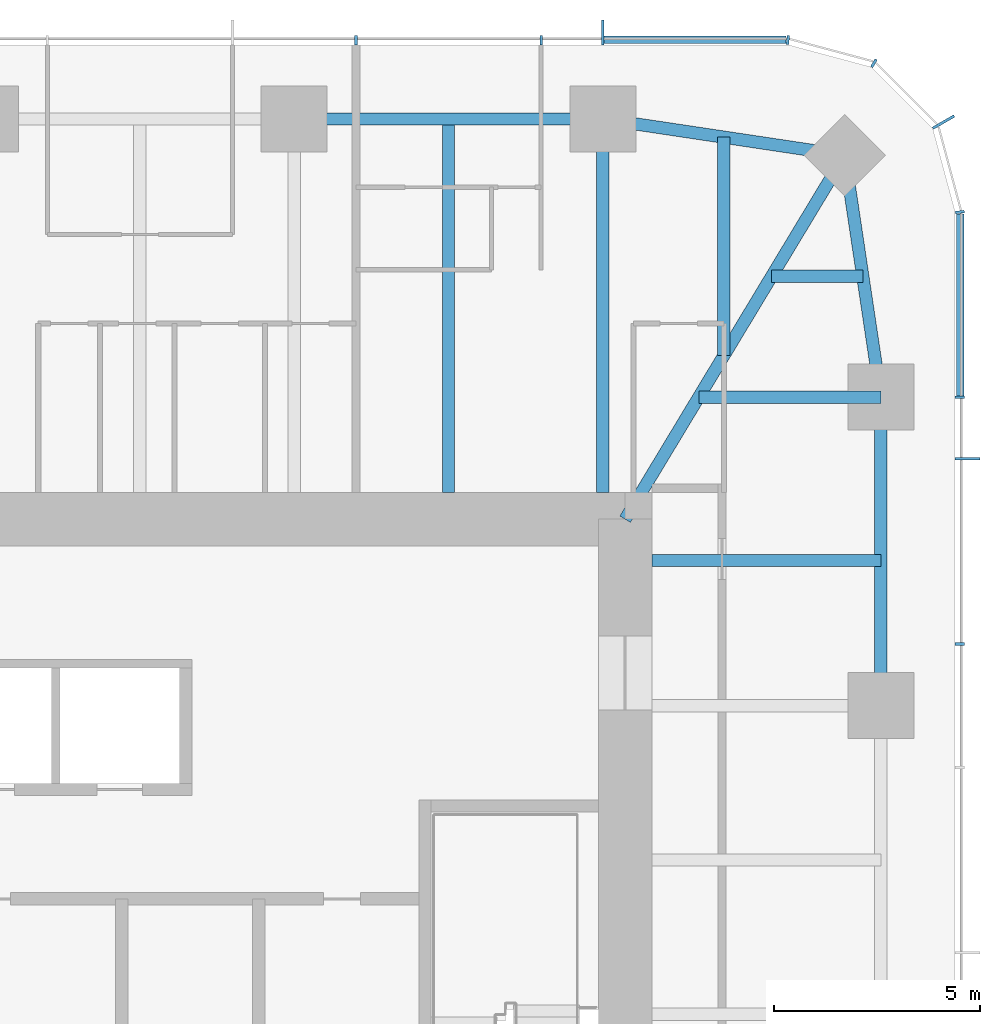
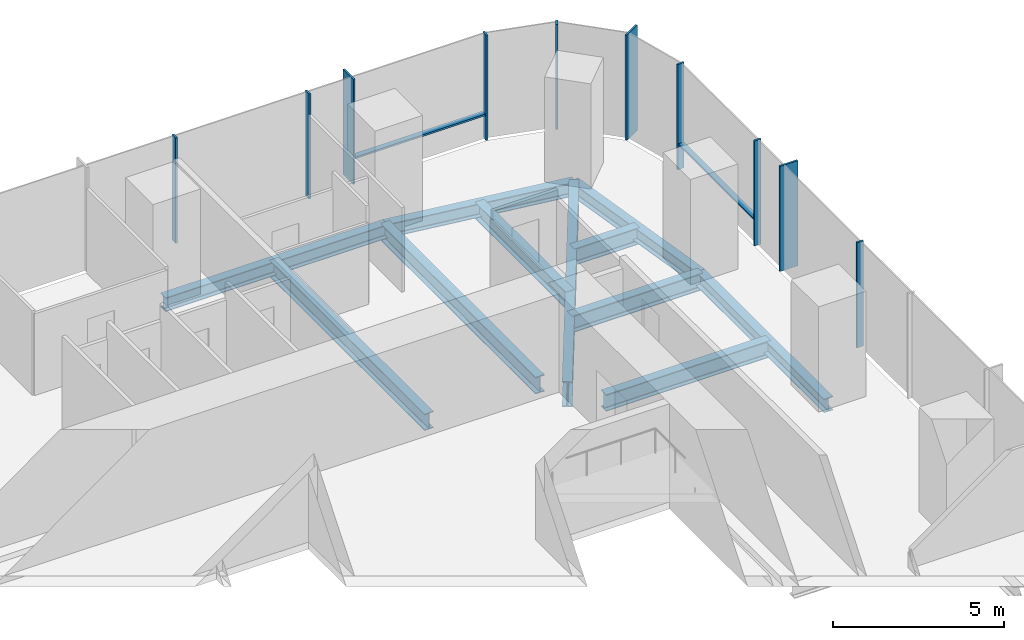
# One storey, part 6 of 12: 12 members, 11 beams, 3 elements without a shape of their own.
"""IFC4 building model written with IfcOpenShell, lengths in metres."""

from ifc_helpers import new_model, si_unit, direction, frame, origin, origin_2d, place, context, subcontext, project, spatial, rectangle, i_section, extrude, material, material_profile, profile_set, type_object, element, aggregate, save


model = new_model("IFC4")

# Units and contexts
model_context = context("Model", 3, precision=1e-05, world=origin(), true_north=direction((0.0, 1.0)))
body_context = subcontext(model_context, "Body", "Model", "MODEL_VIEW")
ifc_project = project(units=[si_unit("LENGTHUNIT", "METRE"), si_unit("AREAUNIT", "SQUARE_METRE"), si_unit("VOLUMEUNIT", "CUBIC_METRE"), si_unit("PLANEANGLEUNIT", "RADIAN"), si_unit("MASSUNIT", "GRAM", prefix="KILO")], contexts=[model_context])

# Site, building, storey
site_placement = place(None, origin())
site = spatial("IfcSite", under=ifc_project, at=site_placement, CompositionType="ELEMENT")
building_placement = place(site_placement, origin())
building = spatial("IfcBuilding", under=site, at=building_placement, Name="Khuree Lantern Residences", CompositionType="ELEMENT")
storey_placement = place(building_placement, frame((0.0, 0.0, 312.0)))
storey = spatial("IfcBuildingStorey", under=building, at=storey_placement, Name="L78", CompositionType="ELEMENT", Elevation=312.0)

# Beams
ifc_material_1 = material(Name="Steel S355", Category="steel")
ifc_material_profile_1 = material_profile(ifc_material_1, i_section(OverallWidth=0.300048828125, OverallDepth=0.590087890625, WebThickness=0.012939453125, FlangeThickness=0.02490234375, FilletRadius=0.027099609375, at=origin_2d()), Name="HE 600 A")
ifc_profile_set_1 = profile_set([ifc_material_profile_1], Name="Steel S355")
beam_type_1 = type_object("IfcBeamType", Name="B-42 SECONDARY BEAM HE 600 A", PredefinedType="BEAM", material=ifc_profile_set_1)
beam_1_placement = place(storey_placement, frame((11.219970703125, 21.699951171875, -0.544921875), z_axis=(0.0, -1.0, 0.0), x_axis=(1.0, 0.0, 0.0)))
element("IfcBeam", 1, at=beam_1_placement, inside=storey, type_object=beam_type_1, Name="Secondary beam N4", PredefinedType="BEAM", context=body_context, shape_type="SweptSolid", body=[
    extrude(i_section(OverallWidth=0.300048828125, OverallDepth=0.590087890625, WebThickness=0.012939453125, FlangeThickness=0.02490234375, FilletRadius=0.027099609375, at=origin_2d()), origin(), (0.0, 0.0, 1.0), 9.050048828125),
])
beam_2_placement = place(storey_placement, frame((17.890625, 21.2607421875, -0.544921875), z_axis=(0.0, -1.0, 0.0), x_axis=(1.0, 0.0, 0.0)))
element("IfcBeam", 2, at=beam_2_placement, inside=storey, type_object=beam_type_1, Name="Secondary beam N5", PredefinedType="BEAM", context=body_context, shape_type="SweptSolid", body=[
    extrude(i_section(OverallWidth=0.300048828125, OverallDepth=0.590087890625, WebThickness=0.012939453125, FlangeThickness=0.02490234375, FilletRadius=0.027099609375, at=origin_2d()), origin(), (0.0, 0.0, 1.0), 5.297607421875),
])
beam_3_placement = place(storey_placement, frame((21.2607421875, 17.890625, -0.544921875), z_axis=(-1.0, 0.0, 0.0), x_axis=(0.0, -1.0, 0.0)))
element("IfcBeam", 3, at=beam_3_placement, inside=storey, type_object=beam_type_1, Name="Secondary beam E1", PredefinedType="BEAM", context=body_context, shape_type="SweptSolid", body=[
    extrude(i_section(OverallWidth=0.300048828125, OverallDepth=0.590087890625, WebThickness=0.012939453125, FlangeThickness=0.02490234375, FilletRadius=0.027099609375, at=origin_2d()), origin(), (0.0, 0.0, 1.0), 2.207275390625),
])
beam_4_placement = place(storey_placement, frame((21.699951171875, 11.0, -0.544921875), z_axis=(-1.0, 0.0, 0.0), x_axis=(0.0, -1.0, 0.0)))
element("IfcBeam", 4, at=beam_4_placement, inside=storey, type_object=beam_type_1, Name="Secondary beam E2", PredefinedType="BEAM", context=body_context, shape_type="SweptSolid", body=[
    extrude(i_section(OverallWidth=0.300048828125, OverallDepth=0.590087890625, WebThickness=0.012939453125, FlangeThickness=0.02490234375, FilletRadius=0.027099609375, at=origin_2d()), origin(), (0.0, 0.0, 1.0), 5.550048828125),
])
ifc_material_profile_2 = material_profile(ifc_material_1, i_section(OverallWidth=0.300048828125, OverallDepth=0.489990234375, WebThickness=0.011962890625, FlangeThickness=0.02294921875, FilletRadius=0.027099609375, at=origin_2d()), Name="HE 500 A")
ifc_profile_set_2 = profile_set([ifc_material_profile_2], Name="Steel S355")
beam_type_2 = type_object("IfcBeamType", Name="E-42 SPANDREL BEAM HE 500 A", PredefinedType="SPANDREL", material=ifc_profile_set_2)
beam_5_placement = place(storey_placement, frame((7.47998046875, 21.699951171875, -0.4951171875), z_axis=(1.0, 0.0, 0.0), x_axis=(0.0, 1.0, 0.0)))
element("IfcBeam", 5, at=beam_5_placement, inside=storey, type_object=beam_type_2, Name="Spandrel beam N4", PredefinedType="SPANDREL", context=body_context, shape_type="SweptSolid", body=[
    extrude(i_section(OverallWidth=0.300048828125, OverallDepth=0.489990234375, WebThickness=0.011962890625, FlangeThickness=0.02294921875, FilletRadius=0.027099609375, at=origin_2d()), origin(), (0.0, 0.0, 1.0), 7.47998046875),
])
for number, where, z_axis, x_axis, name in (
    (6, (14.9599609375, 21.699951171875, -0.4951171875), (0.988949643299, -0.148251822985, 0.0), (0.148251822985, 0.988949643299, 0.0), "Spandrel beam N5"),
    (7, (20.8212890625, 20.8212890625, -0.4951171875), (0.148251822985, -0.988949643299, 0.0), (0.988949643299, 0.148251822985, 0.0), "Spandrel beam E1"),
):
    element("IfcBeam", number, at=place(storey_placement, frame(where, z_axis=z_axis, x_axis=x_axis)), inside=storey, type_object=beam_type_2, Name=name, PredefinedType="SPANDREL", context=body_context, shape_type="SweptSolid", body=[
        extrude(i_section(OverallWidth=0.300048828125, OverallDepth=0.489990234375, WebThickness=0.011962890625, FlangeThickness=0.02294921875, FilletRadius=0.027099609375, at=origin_2d()), origin(), (0.0, 0.0, 1.0), 5.9267578125),
    ])
beam_6_placement = place(storey_placement, frame((21.699951171875, 14.9599609375, -0.4951171875), z_axis=(0.0, -1.0, 0.0), x_axis=(1.0, 0.0, 0.0)))
element("IfcBeam", 8, at=beam_6_placement, inside=storey, type_object=beam_type_2, Name="Spandrel beam E2", PredefinedType="SPANDREL", context=body_context, shape_type="SweptSolid", body=[
    extrude(i_section(OverallWidth=0.300048828125, OverallDepth=0.489990234375, WebThickness=0.011962890625, FlangeThickness=0.02294921875, FilletRadius=0.027099609375, at=origin_2d()), origin(), (0.0, 0.0, 1.0), 7.47998046875),
])

# Curtain wall, member
ifc_material_2 = material(Name="Bronze anodised aluminium", Category="aluminium")
curtain_wall_type_1 = type_object("IfcCurtainWallType", Name="CW-T1 TOWER FACE CURTAIN WALL", PredefinedType="USERDEFINED", material=ifc_material_2)
curtain_wall_1_placement = place(storey_placement, origin())
curtain_wall_1 = element("IfcCurtainWall", 9, at=curtain_wall_1_placement, inside=storey, type_object=curtain_wall_type_1, Name="L78 EAST FACE CURTAIN WALL", ObjectType="Stick-built curtain wall", PredefinedType="USERDEFINED")
ifc_material_profile_3 = material_profile(ifc_material_2, rectangle(XDim=0.06494140625, YDim=0.60009765625, at=origin_2d()), Name="F1 65X600")
ifc_profile_set_3 = profile_set([ifc_material_profile_3], Name="Bronze anodised aluminium")
member_type_1 = type_object("IfcMemberType", Name="F1 BRONZE FIN MULLION TOWER 65X600", PredefinedType="MULLION", material=ifc_profile_set_3)
member_1_placement = place(storey_placement, frame((23.800048828125, 13.464111328125, 0.0), z_axis=(0.0, 0.0, 1.0), x_axis=(0.0, 1.0, 0.0)))
member_1 = element("IfcMember", 10, at=member_1_placement, type_object=member_type_1, Name="L78 EAST FACE FIN MULLION 13", PredefinedType="MULLION", context=body_context, shape_type="SweptSolid", body=[
    extrude(rectangle(XDim=0.06494140625, YDim=0.60009765625, at=origin_2d()), origin(), (0.0, 0.0, 1.0), 3.75),
])

curtain_wall_type_2 = type_object("IfcCurtainWallType", Name="CW-T2 TOWER CORNER CURTAIN WALL", PredefinedType="USERDEFINED", material=ifc_material_2)
curtain_wall_2_placement = place(storey_placement, origin())
curtain_wall_2 = element("IfcCurtainWall", 11, at=curtain_wall_2_placement, inside=storey, type_object=curtain_wall_type_2, Name="L78 NORTH-EAST CORNER CURTAIN WALL", ObjectType="Faceted corner curtain wall", PredefinedType="USERDEFINED")
member_2_placement = place(storey_placement, frame((23.21728515625, 21.625, 0.0), z_axis=(0.0, 0.0, 1.0), x_axis=(-0.49999994149, 0.866025437565, 0.0)))
member_2 = element("IfcMember", 12, at=member_2_placement, type_object=member_type_1, Name="L78 NORTH-EAST CORNER FIN MULLION 16", PredefinedType="MULLION", context=body_context, shape_type="SweptSolid", body=[
    extrude(rectangle(XDim=0.06494140625, YDim=0.60009765625, at=origin_2d()), origin(), (0.0, 0.0, 1.0), 3.75),
])

curtain_wall_3_placement = place(storey_placement, origin())
curtain_wall_3 = element("IfcCurtainWall", 13, at=curtain_wall_3_placement, inside=storey, type_object=curtain_wall_type_1, Name="L78 NORTH FACE CURTAIN WALL", ObjectType="Stick-built curtain wall", PredefinedType="USERDEFINED")
member_3_placement = place(storey_placement, frame((14.9599609375, 23.800048828125, 0.0), z_axis=(0.0, 0.0, 1.0), x_axis=(-1.0, 0.0, 0.0)))
member_3 = element("IfcMember", 14, at=member_3_placement, type_object=member_type_1, Name="L78 NORTH FACE FIN MULLION 19", PredefinedType="MULLION", context=body_context, shape_type="SweptSolid", body=[
    extrude(rectangle(XDim=0.06494140625, YDim=0.60009765625, at=origin_2d()), origin(), (0.0, 0.0, 1.0), 3.75),
])

# Beams
ifc_material_profile_4 = material_profile(ifc_material_1, i_section(OverallWidth=0.300048828125, OverallDepth=0.60009765625, WebThickness=0.015380859375, FlangeThickness=0.030029296875, FilletRadius=0.027099609375, at=origin_2d()), Name="HE 600 B")
ifc_profile_set_4 = profile_set([ifc_material_profile_4], Name="Steel S355")
beam_type_3 = type_object("IfcBeamType", Name="G-42 GIRDER HE 600 B", PredefinedType="BEAM", material=ifc_profile_set_4)
beam_7_placement = place(storey_placement, frame((14.9599609375, 21.699951171875, -0.550048828125), z_axis=(0.0, -1.0, 0.0), x_axis=(1.0, 0.0, 0.0)))
element("IfcBeam", 15, at=beam_7_placement, inside=storey, type_object=beam_type_3, Name="Girder N5", PredefinedType="BEAM", context=body_context, shape_type="SweptSolid", body=[
    extrude(i_section(OverallWidth=0.300048828125, OverallDepth=0.60009765625, WebThickness=0.015380859375, FlangeThickness=0.030029296875, FilletRadius=0.027099609375, at=origin_2d()), origin(), (0.0, 0.0, 1.0), 9.050048828125),
])
beam_8_placement = place(storey_placement, frame((21.699951171875, 14.9599609375, -0.550048828125), z_axis=(-1.0, 0.0, 0.0), x_axis=(0.0, -1.0, 0.0)))
element("IfcBeam", 16, at=beam_8_placement, inside=storey, type_object=beam_type_3, Name="Girder E1", PredefinedType="BEAM", context=body_context, shape_type="SweptSolid", body=[
    extrude(i_section(OverallWidth=0.300048828125, OverallDepth=0.60009765625, WebThickness=0.015380859375, FlangeThickness=0.030029296875, FilletRadius=0.027099609375, at=origin_2d()), origin(), (0.0, 0.0, 1.0), 4.414306640625),
])
ifc_material_profile_5 = material_profile(ifc_material_1, i_section(OverallWidth=0.300048828125, OverallDepth=0.89990234375, WebThickness=0.0185546875, FlangeThickness=0.034912109375, FilletRadius=0.030029296875, at=origin_2d()), Name="HE 900 B")
ifc_profile_set_5 = profile_set([ifc_material_profile_5], Name="Steel S355")
beam_type_4 = type_object("IfcBeamType", Name="GD-42 CORNER GIRDER HE 900 B", PredefinedType="BEAM", material=ifc_profile_set_5)
beam_9_placement = place(storey_placement, frame((20.8212890625, 20.8212890625, -0.699951171875), z_axis=(-0.516529577604, -0.856269347495, 0.0), x_axis=(0.856269347495, -0.516529577604, 0.0)))
element("IfcBeam", 17, at=beam_9_placement, inside=storey, type_object=beam_type_4, Name="Corner girder NE", PredefinedType="BEAM", context=body_context, shape_type="SweptSolid", body=[
    extrude(i_section(OverallWidth=0.300048828125, OverallDepth=0.89990234375, WebThickness=0.0185546875, FlangeThickness=0.034912109375, FilletRadius=0.030029296875, at=origin_2d()), origin(), (0.0, 0.0, 1.0), 10.302001953125),
])

# Member
ifc_material_profile_6 = material_profile(ifc_material_2, rectangle(XDim=0.06494140625, YDim=0.219970703125, at=origin_2d()), Name="M1 65X220")
ifc_profile_set_6 = profile_set([ifc_material_profile_6], Name="Bronze anodised aluminium")
member_type_2 = type_object("IfcMemberType", Name="M1 BRONZE MULLION TOWER 65X220", PredefinedType="MULLION", material=ifc_profile_set_6)
member_4_placement = place(storey_placement, frame((23.610107421875, 8.97607421875, 0.0), z_axis=(0.0, 0.0, 1.0), x_axis=(0.0, 1.0, 0.0)))
member_4 = element("IfcMember", 18, at=member_4_placement, type_object=member_type_2, Name="L78 EAST FACE MULLION 12", PredefinedType="MULLION", context=body_context, shape_type="SweptSolid", body=[
    extrude(rectangle(XDim=0.06494140625, YDim=0.219970703125, at=origin_2d()), origin(), (0.0, 0.0, 1.0), 3.75),
])

member_5_placement = place(storey_placement, frame((23.610107421875, 14.9599609375, 0.0), z_axis=(0.0, 0.0, 1.0), x_axis=(0.0, 1.0, 0.0)))
member_5 = element("IfcMember", 19, at=member_5_placement, type_object=member_type_2, Name="L78 EAST FACE MULLION 14", PredefinedType="MULLION", context=body_context, shape_type="SweptSolid", body=[
    extrude(rectangle(XDim=0.06494140625, YDim=0.219970703125, at=origin_2d()), origin(), (0.0, 0.0, 1.0), 3.75),
])

member_6_placement = place(storey_placement, frame((23.61181640625, 19.445068359375, 0.0), z_axis=(0.0, 0.0, 1.0), x_axis=(-0.130526125236, 0.991444870192, 0.0)))
member_6 = element("IfcMember", 20, at=member_6_placement, type_object=member_type_2, Name="L78 NORTH-EAST CORNER MULLION 15", PredefinedType="MULLION", context=body_context, shape_type="SweptSolid", body=[
    extrude(rectangle(XDim=0.06494140625, YDim=0.219970703125, at=origin_2d()), origin(), (0.0, 0.0, 1.0), 3.75),
])

member_7_placement = place(storey_placement, frame((21.530029296875, 23.052734375, 0.0), z_axis=(0.0, 0.0, 1.0), x_axis=(-0.866025437565, 0.49999994149, 0.0)))
member_7 = element("IfcMember", 21, at=member_7_placement, type_object=member_type_2, Name="L78 NORTH-EAST CORNER MULLION 17", PredefinedType="MULLION", context=body_context, shape_type="SweptSolid", body=[
    extrude(rectangle(XDim=0.06494140625, YDim=0.219970703125, at=origin_2d()), origin(), (0.0, 0.0, 1.0), 3.75),
])

aggregate(curtain_wall_2, [member_6, member_2, member_7])

member_8_placement = place(storey_placement, frame((19.445068359375, 23.61181640625, 0.0), z_axis=(0.0, 0.0, 1.0), x_axis=(-0.991444870192, 0.130526125236, 0.0)))
member_8 = element("IfcMember", 22, at=member_8_placement, type_object=member_type_2, Name="L78 NORTH FACE MULLION 18", PredefinedType="MULLION", context=body_context, shape_type="SweptSolid", body=[
    extrude(rectangle(XDim=0.06494140625, YDim=0.219970703125, at=origin_2d()), origin(), (0.0, 0.0, 1.0), 3.75),
])

member_9_placement = place(storey_placement, frame((13.464111328125, 23.610107421875, 0.0), z_axis=(0.0, 0.0, 1.0), x_axis=(-1.0, 0.0, 0.0)))
member_9 = element("IfcMember", 23, at=member_9_placement, type_object=member_type_2, Name="L78 NORTH FACE MULLION 20", PredefinedType="MULLION", context=body_context, shape_type="SweptSolid", body=[
    extrude(rectangle(XDim=0.06494140625, YDim=0.219970703125, at=origin_2d()), origin(), (0.0, 0.0, 1.0), 3.75),
])

member_10_placement = place(storey_placement, frame((8.97607421875, 23.610107421875, 0.0), z_axis=(0.0, 0.0, 1.0), x_axis=(-1.0, 0.0, 0.0)))
member_10 = element("IfcMember", 24, at=member_10_placement, type_object=member_type_2, Name="L78 NORTH FACE MULLION 21", PredefinedType="MULLION", context=body_context, shape_type="SweptSolid", body=[
    extrude(rectangle(XDim=0.06494140625, YDim=0.219970703125, at=origin_2d()), origin(), (0.0, 0.0, 1.0), 3.75),
])

ifc_material_profile_7 = material_profile(ifc_material_2, rectangle(XDim=0.179931640625, YDim=0.06494140625, at=origin_2d()), Name="T1 180X65")
ifc_profile_set_7 = profile_set([ifc_material_profile_7], Name="Bronze anodised aluminium")
member_type_3 = type_object("IfcMemberType", Name="TRANSOM T1 TOWER 180X65", PredefinedType="USERDEFINED", material=ifc_profile_set_7)
member_11_placement = place(storey_placement, frame((23.6201171875, 14.992431640625, 0.89990234375), z_axis=(0.0, 1.0, 0.0), x_axis=(-1.0, 0.0, 0.0)))
member_11 = element("IfcMember", 25, at=member_11_placement, type_object=member_type_3, Name="L78 EAST FACE TRANSOM 14.1", ObjectType="Transom", PredefinedType="USERDEFINED", context=body_context, shape_type="SweptSolid", body=[
    extrude(rectangle(XDim=0.179931640625, YDim=0.06494140625, at=origin_2d()), origin(), (0.0, 0.0, 1.0), 4.408935546875),
])

aggregate(curtain_wall_1, [member_4, member_1, member_5, member_11])

member_12_placement = place(storey_placement, frame((19.4013671875, 23.6201171875, 0.89990234375), z_axis=(-1.0, 0.0, 0.0), x_axis=(0.0, -1.0, 0.0)))
member_12 = element("IfcMember", 26, at=member_12_placement, type_object=member_type_3, Name="L78 NORTH FACE TRANSOM 18.1", ObjectType="Transom", PredefinedType="USERDEFINED", context=body_context, shape_type="SweptSolid", body=[
    extrude(rectangle(XDim=0.179931640625, YDim=0.06494140625, at=origin_2d()), origin(), (0.0, 0.0, 1.0), 4.408935546875),
])

aggregate(curtain_wall_3, [member_8, member_3, member_9, member_10, member_12])

save(model, "model.ifc")
